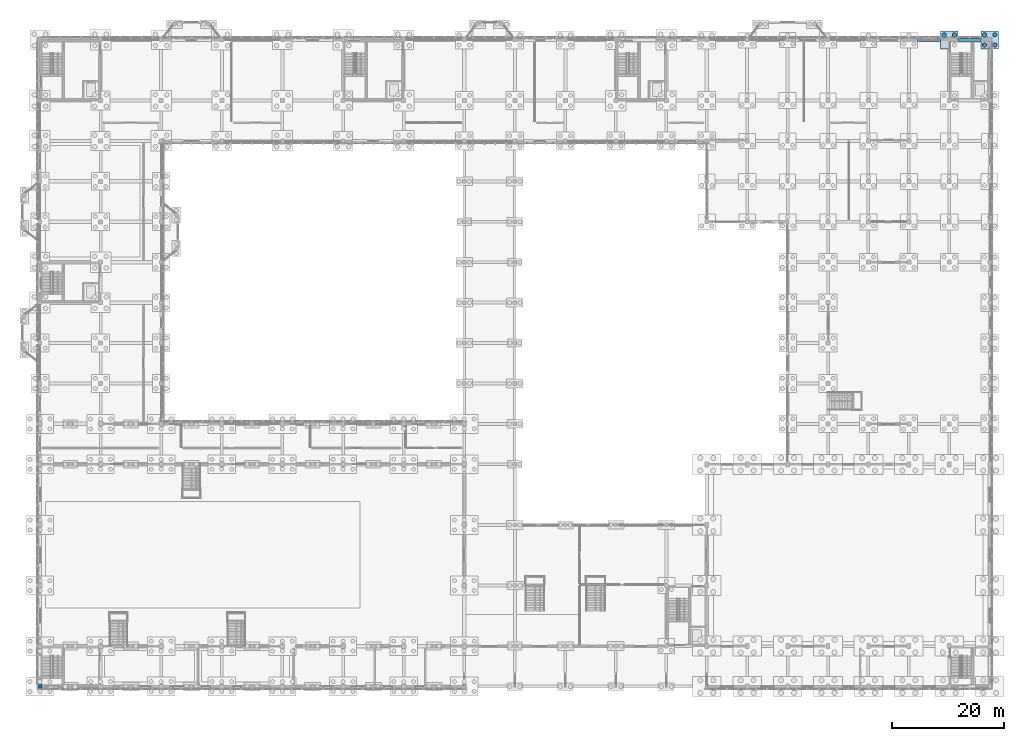
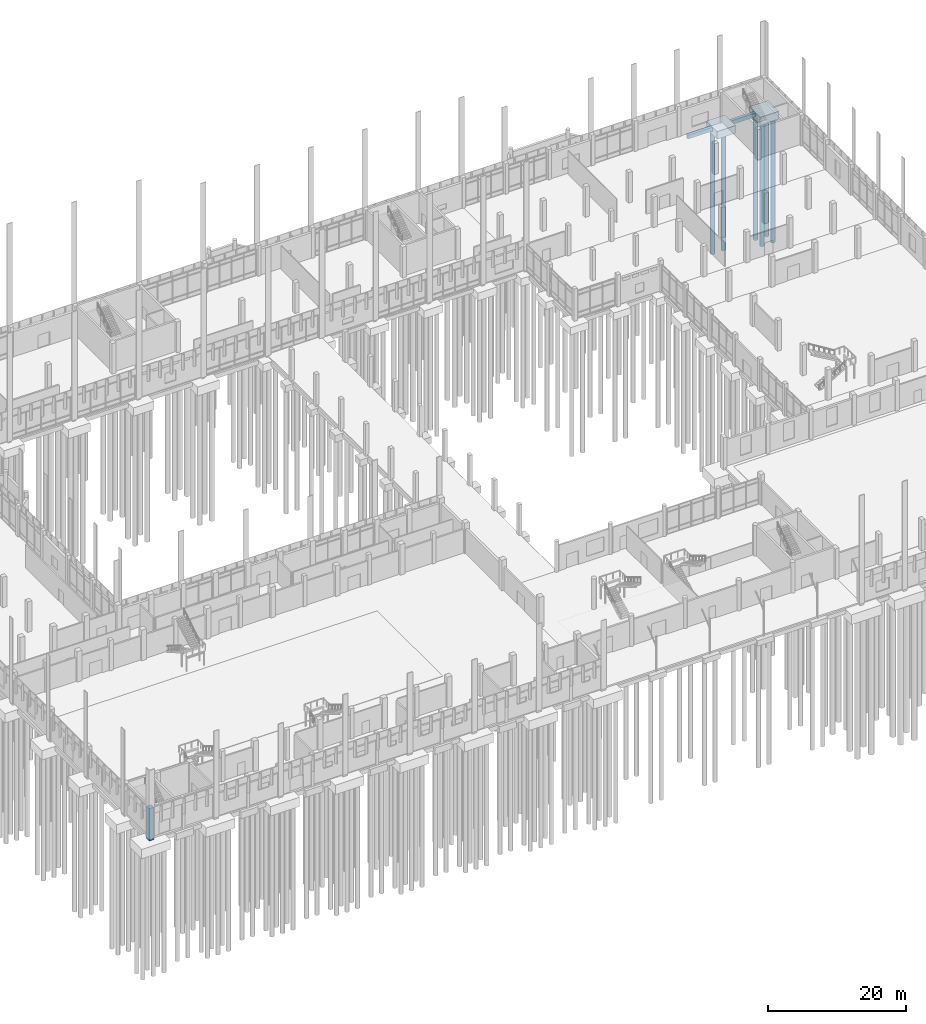
# One storey, part 10 of 109: 6 piles, 4 footings, 1 column.
"""IFC4 building model written with IfcOpenShell, lengths in metres."""

from ifc_helpers import new_model, si_unit, direction, frame, origin, origin_2d, place, context, subcontext, project, spatial, rectangle, circle, extrude, material, material_profile, profile_set, type_object, element, save


model = new_model("IFC4")

# Units and contexts
model_context = context("Model", 3, precision=1e-05, world=origin(), true_north=direction((0.0, 1.0)))
body_context = subcontext(model_context, "Body", "Model", "MODEL_VIEW")
ifc_project = project(units=[si_unit("LENGTHUNIT", "METRE"), si_unit("AREAUNIT", "SQUARE_METRE"), si_unit("VOLUMEUNIT", "CUBIC_METRE"), si_unit("PLANEANGLEUNIT", "RADIAN"), si_unit("MASSUNIT", "GRAM", prefix="KILO")], contexts=[model_context])

# Site, building, storey
site_placement = place(None, origin())
site = spatial("IfcSite", under=ifc_project, at=site_placement, CompositionType="ELEMENT")
building_placement = place(site_placement, origin())
building = spatial("IfcBuilding", under=site, at=building_placement, Name="Lusvemor Sports Hall", CompositionType="ELEMENT")
storey_placement = place(building_placement, origin())
storey = spatial("IfcBuildingStorey", under=building, at=storey_placement, Name="L00", CompositionType="ELEMENT", Elevation=0.0)

# Footings
ifc_material_1 = material(Name="Concrete C40/50", Category="concrete")
ifc_material_profile_1 = material_profile(ifc_material_1, rectangle(XDim=0.5, YDim=0.699951171875, at=origin_2d()), Name="GB_500x700")
ifc_profile_set_1 = profile_set([ifc_material_profile_1], Name="Concrete C40/50")
footing_type_1 = type_object("IfcFootingType", Name="GBEAM_500x700", PredefinedType="FOOTING_BEAM", material=ifc_profile_set_1)
footing_1_placement = place(storey_placement, frame((156.322998046875, 115.199951171875, -0.64990234375), z_axis=(1.0, 0.0, 0.0), x_axis=(0.0, 1.0, 0.0)))
element("IfcFooting", 1, at=footing_1_placement, inside=storey, type_object=footing_type_1, Name="Ground Tie Beam Q:18-19", PredefinedType="FOOTING_BEAM", context=body_context, shape_type="SweptSolid", body=[
    extrude(rectangle(XDim=0.5, YDim=0.699951171875, at=origin_2d()), origin(), (0.0, 0.0, 1.0), 4.10400390625),
])
footing_2_placement = place(storey_placement, frame((163.572998046875, 115.199951171875, -0.64990234375), z_axis=(1.0, 0.0, 0.0), x_axis=(0.0, 1.0, 0.0)))
element("IfcFooting", 2, at=footing_2_placement, inside=storey, type_object=footing_type_1, Name="Ground Tie Beam Q:19-20", PredefinedType="FOOTING_BEAM", context=body_context, shape_type="SweptSolid", body=[
    extrude(rectangle(XDim=0.5, YDim=0.699951171875, at=origin_2d()), origin(), (0.0, 0.0, 1.0), 4.053955078125),
])
ifc_material_2 = material(Name="Concrete C40/50", Category="concrete")
footing_type_2 = type_object("IfcFootingType", Name="PCAP_4P_A", PredefinedType="PILE_CAP", material=ifc_material_2)
for number, where, z_axis, x_axis, name in (
    (3, (162.0, 115.199951171875, -1.650146484375), (0.0, 0.0, 1.0), (1.0, 0.0, 0.0), "Pile Cap 19/Q"),
    (4, (169.199951171875, 115.199951171875, -1.650146484375), (0.0, 0.0, 1.0), (1.0, 0.0, 0.0), "Pile Cap 20/Q"),
):
    element("IfcFooting", number, at=place(storey_placement, frame(where, z_axis=z_axis, x_axis=x_axis)), inside=storey, type_object=footing_type_2, Name=name, PredefinedType="PILE_CAP", context=body_context, shape_type="SweptSolid", body=[
        extrude(rectangle(XDim=3.14990234375, YDim=3.14990234375, at=origin_2d()), origin(), (0.0, 0.0, 1.0), 1.35009765625),
    ])

# Piles
ifc_material_3 = material(Name="Concrete C40/50", Category="concrete")
ifc_material_profile_2 = material_profile(ifc_material_3, circle(Radius=0.35009765625, at=origin_2d()), Name="PILE700")
ifc_profile_set_2 = profile_set([ifc_material_profile_2], Name="Concrete C40/50")
pile_type = type_object("IfcPileType", Name="PILE_BORED_700", PredefinedType="BORED", material=ifc_profile_set_2)
for number, where, z_axis, x_axis, name in (
    (5, (161.080078125, 116.1201171875, -1.550048828125), (0.0, 0.0, -1.0), (1.0, 0.0, 0.0), "Bored Pile 19/Q-3"),
    (6, (162.919921875, 116.1201171875, -1.550048828125), (0.0, 0.0, -1.0), (1.0, 0.0, 0.0), "Bored Pile 19/Q-4"),
    (7, (168.280029296875, 114.280029296875, -1.550048828125), (0.0, 0.0, -1.0), (1.0, 0.0, 0.0), "Bored Pile 20/Q-1"),
    (8, (170.1201171875, 114.280029296875, -1.550048828125), (0.0, 0.0, -1.0), (1.0, 0.0, 0.0), "Bored Pile 20/Q-2"),
    (9, (168.280029296875, 116.1201171875, -1.550048828125), (0.0, 0.0, -1.0), (1.0, 0.0, 0.0), "Bored Pile 20/Q-3"),
    (10, (170.1201171875, 116.1201171875, -1.550048828125), (0.0, 0.0, -1.0), (1.0, 0.0, 0.0), "Bored Pile 20/Q-4"),
):
    element("IfcPile", number, at=place(storey_placement, frame(where, z_axis=z_axis, x_axis=x_axis)), inside=storey, type_object=pile_type, Name=name, PredefinedType="BORED", context=body_context, shape_type="SweptSolid", body=[
        extrude(circle(Radius=0.35009765625, at=origin_2d()), origin(), (0.0, 0.0, 1.0), 22.0),
    ])

# Column
ifc_material_4 = material(Name="Concrete C40/50", Category="concrete")
ifc_material_profile_3 = material_profile(ifc_material_4, rectangle(XDim=0.800048828125, YDim=0.800048828125, at=origin_2d()), Name="RC800x800")
ifc_profile_set_3 = profile_set([ifc_material_profile_3], Name="Concrete C40/50")
column_type = type_object("IfcColumnType", Name="COL_HALL_W", PredefinedType="COLUMN", material=ifc_profile_set_3)
column_placement = place(storey_placement, frame((0.0, 0.0, -0.300048828125), z_axis=(0.0, 0.0, 1.0), x_axis=(1.0, 0.0, 0.0)))
element("IfcColumn", 11, at=column_placement, inside=storey, type_object=column_type, Name="Column 1/A (L00)", PredefinedType="COLUMN", context=body_context, shape_type="SweptSolid", body=[
    extrude(rectangle(XDim=0.800048828125, YDim=0.800048828125, at=origin_2d()), origin(), (0.0, 0.0, 1.0), 5.699951171875),
])

save(model, "model.ifc")
